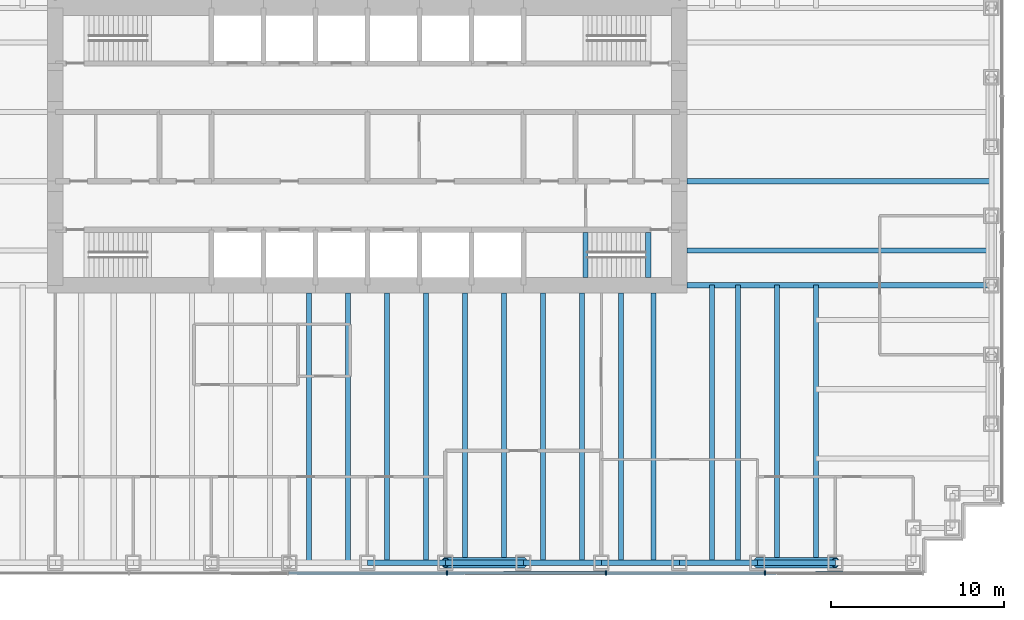
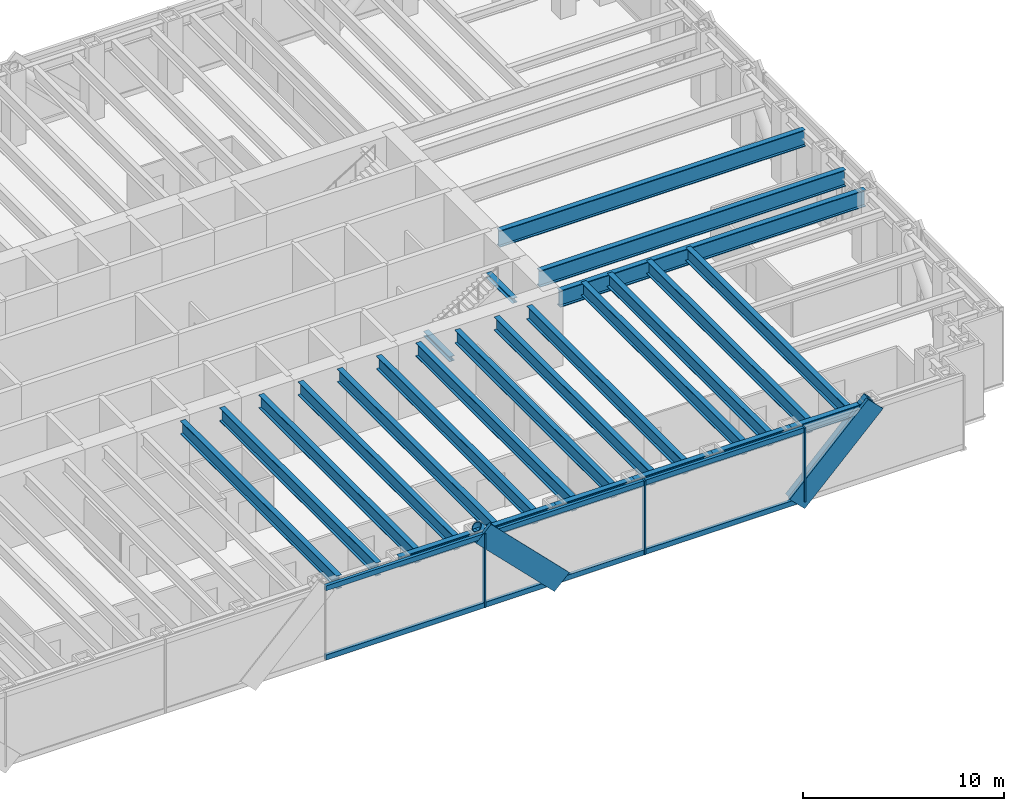
# One storey, part 3 of 13: 25 beams, 13 members, 1 element without a shape of its own.
"""IFC4 building model written with IfcOpenShell, lengths in metres."""

from ifc_helpers import new_model, si_unit, direction, frame, origin, origin_2d, place, context, subcontext, project, spatial, rectangle, hollow_circle, i_section, extrude, material, material_profile, profile_set, type_object, element, aggregate, save


model = new_model("IFC4")

# Units and contexts
model_context = context("Model", 3, precision=1e-05, world=origin(), true_north=direction((0.0, 1.0)))
body_context = subcontext(model_context, "Body", "Model", "MODEL_VIEW")
ifc_project = project(units=[si_unit("LENGTHUNIT", "METRE"), si_unit("AREAUNIT", "SQUARE_METRE"), si_unit("VOLUMEUNIT", "CUBIC_METRE"), si_unit("PLANEANGLEUNIT", "RADIAN"), si_unit("MASSUNIT", "GRAM", prefix="KILO")], contexts=[model_context])

# Site, building, storey
site_placement = place(None, origin())
site = spatial("IfcSite", under=ifc_project, at=site_placement, CompositionType="ELEMENT")
building_placement = place(site_placement, origin())
building = spatial("IfcBuilding", under=site, at=building_placement, Name="Rheinbord Bourse Tower", CompositionType="ELEMENT")
storey_placement = place(building_placement, frame((0.0, 0.0, 86.0)))
storey = spatial("IfcBuildingStorey", under=building, at=storey_placement, Name="L18", CompositionType="ELEMENT", Elevation=86.0)

# Curtain wall, members
ifc_material_1 = material(Name="Dark glass and black aluminium", Category="aluminium")
curtain_wall_type = type_object("IfcCurtainWallType", Name="CW1 DARK GLASS CURTAIN WALL", PredefinedType="USERDEFINED", material=ifc_material_1)
curtain_wall_placement = place(storey_placement, origin())
curtain_wall = element("IfcCurtainWall", 1, at=curtain_wall_placement, inside=storey, type_object=curtain_wall_type, Name="Curtain wall CW1 S L18", ObjectType="UNITISED CURTAIN WALL", PredefinedType="USERDEFINED")
ifc_material_2 = material(Name="Black anodised aluminium", Category="aluminium")
ifc_material_profile_1 = material_profile(ifc_material_2, rectangle(XDim=0.179931640625, YDim=1.2099609375, at=origin_2d()), Name="CW1 DIAGONAL MULLION 1210x180")
ifc_profile_set_1 = profile_set([ifc_material_profile_1], Name="Black anodised aluminium")
member_type_1 = type_object("IfcMemberType", Name="CW1 BLACK DIAGONAL MULLION", PredefinedType="USERDEFINED", material=ifc_profile_set_1)
member_1_placement = place(storey_placement, frame((45.0, -0.60009765625, 0.0), z_axis=(-0.707106781187, 0.0, 0.707106781187), x_axis=(0.0, -1.0, 0.0)))
member_1 = element("IfcMember", 2, at=member_1_placement, type_object=member_type_1, Name="CW1 diagonal mullion a", ObjectType="DIAGONAL MULLION", PredefinedType="USERDEFINED", context=body_context, shape_type="SweptSolid", body=[
    extrude(rectangle(XDim=0.179931640625, YDim=1.2099609375, at=origin_2d()), origin(), (0.0, 0.0, 1.0), 6.364013671875),
])
member_2_placement = place(storey_placement, frame((58.5, -0.60009765625, 0.0), z_axis=(0.707106781187, 0.0, 0.707106781187), x_axis=(0.0, 1.0, 0.0)))
member_2 = element("IfcMember", 3, at=member_2_placement, type_object=member_type_1, Name="CW1 diagonal mullion d", ObjectType="DIAGONAL MULLION", PredefinedType="USERDEFINED", context=body_context, shape_type="SweptSolid", body=[
    extrude(rectangle(XDim=0.179931640625, YDim=1.2099609375, at=origin_2d()), origin(), (0.0, 0.0, 1.0), 6.364013671875),
])
ifc_material_3 = material(Name="Black anodised aluminium", Category="aluminium")
ifc_material_profile_2 = material_profile(ifc_material_3, rectangle(XDim=0.25, YDim=0.080078125, at=origin_2d()), Name="CW1 MULLION 80x250")
ifc_profile_set_2 = profile_set([ifc_material_profile_2], Name="Black anodised aluminium")
member_type_2 = type_object("IfcMemberType", Name="CW1 BLACK MULLION", PredefinedType="MULLION", material=ifc_profile_set_2)
member_3_placement = place(storey_placement, frame((40.585693359375, -0.60009765625, 0.0), z_axis=(0.0, 0.0, 1.0), x_axis=(0.0, 1.0, 0.0)))
member_3 = element("IfcMember", 4, at=member_3_placement, type_object=member_type_2, Name="CW1 mullion 5", PredefinedType="MULLION", context=body_context, shape_type="SweptSolid", body=[
    extrude(rectangle(XDim=0.25, YDim=0.080078125, at=origin_2d()), origin(), (0.0, 0.0, 1.0), 4.5),
])
member_4_placement = place(storey_placement, frame((49.757080078125, -0.60009765625, 0.0), z_axis=(0.0, 0.0, 1.0), x_axis=(0.0, 1.0, 0.0)))
member_4 = element("IfcMember", 5, at=member_4_placement, type_object=member_type_2, Name="CW1 mullion 6", PredefinedType="MULLION", context=body_context, shape_type="SweptSolid", body=[
    extrude(rectangle(XDim=0.25, YDim=0.080078125, at=origin_2d()), origin(), (0.0, 0.0, 1.0), 4.5),
])
member_5_placement = place(storey_placement, frame((58.928466796875, -0.60009765625, 0.0), z_axis=(0.0, 0.0, 1.0), x_axis=(0.0, 1.0, 0.0)))
member_5 = element("IfcMember", 6, at=member_5_placement, type_object=member_type_2, Name="CW1 mullion 7", PredefinedType="MULLION", context=body_context, shape_type="SweptSolid", body=[
    extrude(rectangle(XDim=0.25, YDim=0.080078125, at=origin_2d()), origin(), (0.0, 0.0, 1.0), 4.5),
])
ifc_material_4 = material(Name="Black anodised aluminium", Category="aluminium")
ifc_material_profile_3 = material_profile(ifc_material_4, rectangle(XDim=0.179931640625, YDim=0.300048828125, at=origin_2d()), Name="CW1 TRANSOM 300x180")
ifc_profile_set_3 = profile_set([ifc_material_profile_3], Name="Black anodised aluminium")
member_type_3 = type_object("IfcMemberType", Name="CW1 BLACK TRANSOM", PredefinedType="USERDEFINED", material=ifc_profile_set_3)
member_6_placement = place(storey_placement, frame((31.454345703125, -0.60009765625, 0.14990234375), z_axis=(1.0, 0.0, 0.0), x_axis=(0.0, 1.0, 0.0)))
member_6 = element("IfcMember", 7, at=member_6_placement, type_object=member_type_3, Name="CW1 transom 4.1", ObjectType="TRANSOM", PredefinedType="USERDEFINED", context=body_context, shape_type="SweptSolid", body=[
    extrude(rectangle(XDim=0.179931640625, YDim=0.300048828125, at=origin_2d()), origin(), (0.0, 0.0, 1.0), 9.09130859375),
])
member_7_placement = place(storey_placement, frame((31.454345703125, -0.60009765625, 4.35009765625), z_axis=(1.0, 0.0, 0.0), x_axis=(0.0, 1.0, 0.0)))
member_7 = element("IfcMember", 8, at=member_7_placement, type_object=member_type_3, Name="CW1 transom 4.2", ObjectType="TRANSOM", PredefinedType="USERDEFINED", context=body_context, shape_type="SweptSolid", body=[
    extrude(rectangle(XDim=0.179931640625, YDim=0.300048828125, at=origin_2d()), origin(), (0.0, 0.0, 1.0), 9.09130859375),
])
member_8_placement = place(storey_placement, frame((40.625732421875, -0.60009765625, 0.14990234375), z_axis=(1.0, 0.0, 0.0), x_axis=(0.0, 1.0, 0.0)))
member_8 = element("IfcMember", 9, at=member_8_placement, type_object=member_type_3, Name="CW1 transom 5.1", ObjectType="TRANSOM", PredefinedType="USERDEFINED", context=body_context, shape_type="SweptSolid", body=[
    extrude(rectangle(XDim=0.179931640625, YDim=0.300048828125, at=origin_2d()), origin(), (0.0, 0.0, 1.0), 9.09130859375),
])
member_9_placement = place(storey_placement, frame((40.625732421875, -0.60009765625, 4.35009765625), z_axis=(1.0, 0.0, 0.0), x_axis=(0.0, 1.0, 0.0)))
member_9 = element("IfcMember", 10, at=member_9_placement, type_object=member_type_3, Name="CW1 transom 5.2", ObjectType="TRANSOM", PredefinedType="USERDEFINED", context=body_context, shape_type="SweptSolid", body=[
    extrude(rectangle(XDim=0.179931640625, YDim=0.300048828125, at=origin_2d()), origin(), (0.0, 0.0, 1.0), 9.09130859375),
])
member_10_placement = place(storey_placement, frame((49.797119140625, -0.60009765625, 0.14990234375), z_axis=(1.0, 0.0, 0.0), x_axis=(0.0, 1.0, 0.0)))
member_10 = element("IfcMember", 11, at=member_10_placement, type_object=member_type_3, Name="CW1 transom 6.1", ObjectType="TRANSOM", PredefinedType="USERDEFINED", context=body_context, shape_type="SweptSolid", body=[
    extrude(rectangle(XDim=0.179931640625, YDim=0.300048828125, at=origin_2d()), origin(), (0.0, 0.0, 1.0), 9.091552734375),
])
member_11_placement = place(storey_placement, frame((49.797119140625, -0.60009765625, 4.35009765625), z_axis=(1.0, 0.0, 0.0), x_axis=(0.0, 1.0, 0.0)))
member_11 = element("IfcMember", 12, at=member_11_placement, type_object=member_type_3, Name="CW1 transom 6.2", ObjectType="TRANSOM", PredefinedType="USERDEFINED", context=body_context, shape_type="SweptSolid", body=[
    extrude(rectangle(XDim=0.179931640625, YDim=0.300048828125, at=origin_2d()), origin(), (0.0, 0.0, 1.0), 9.091552734375),
])
aggregate(curtain_wall, [member_3, member_4, member_5, member_6, member_7, member_8, member_9, member_10, member_11, member_1, member_2])

# Beams
ifc_material_5 = material(Name="Steel S460", Category="steel")
ifc_material_profile_4 = material_profile(ifc_material_5, i_section(OverallWidth=0.302001953125, OverallDepth=1.008056640625, WebThickness=0.02099609375, FlangeThickness=0.0400390625, at=origin_2d()), Name="HEM 1000")
ifc_profile_set_4 = profile_set([ifc_material_profile_4], Name="Steel S460")
beam_type_1 = type_object("IfcBeamType", Name="END BEAM HEM 1000", PredefinedType="BEAM", material=ifc_profile_set_4)
for number, where, z_axis, x_axis, name in (
    (13, (54.449951171875, 18.0, 3.81591796875), (1.0, 0.0, 0.0), (0.0, 1.0, 0.0), "End beam east 18 L19"),
    (14, (54.449951171875, 22.0, 3.81591796875), (1.0, 0.0, 0.0), (0.0, 1.0, 0.0), "End beam east 22 L19"),
):
    element("IfcBeam", number, at=place(storey_placement, frame(where, z_axis=z_axis, x_axis=x_axis)), inside=storey, type_object=beam_type_1, Name=name, PredefinedType="BEAM", context=body_context, shape_type="SweptSolid", body=[
        extrude(i_section(OverallWidth=0.302001953125, OverallDepth=1.008056640625, WebThickness=0.02099609375, FlangeThickness=0.0400390625, at=origin_2d()), origin(), (0.0, 0.0, 1.0), 17.550048828125),
    ])
ifc_material_6 = material(Name="Steel S460", Category="steel")
ifc_material_profile_5 = material_profile(ifc_material_6, i_section(OverallWidth=0.300048828125, OverallDepth=0.800048828125, WebThickness=0.017578125, FlangeThickness=0.032958984375, at=origin_2d()), Name="HEB 800")
ifc_profile_set_5 = profile_set([ifc_material_profile_5], Name="Steel S460")
beam_type_2 = type_object("IfcBeamType", Name="FLOOR BEAM HEB 800", PredefinedType="BEAM", material=ifc_profile_set_5)
for number, where, z_axis, x_axis, name in (
    (15, (32.625, 0.0, 3.919921875), (0.0, 1.0, 0.0), (-1.0, 0.0, 0.0), "Floor beam S-31.5a L19"),
    (16, (34.875, 0.0, 3.919921875), (0.0, 1.0, 0.0), (-1.0, 0.0, 0.0), "Floor beam S-31.5b L19"),
    (17, (37.125, 0.0, 3.919921875), (0.0, 1.0, 0.0), (-1.0, 0.0, 0.0), "Floor beam S-36a L19"),
    (18, (39.375, 0.0, 3.919921875), (0.0, 1.0, 0.0), (-1.0, 0.0, 0.0), "Floor beam S-36b L19"),
    (19, (41.625, 0.0, 3.919921875), (0.0, 1.0, 0.0), (-1.0, 0.0, 0.0), "Floor beam S-40.5a L19"),
    (20, (43.875, 0.0, 3.919921875), (0.0, 1.0, 0.0), (-1.0, 0.0, 0.0), "Floor beam S-40.5b L19"),
    (21, (46.125, 0.0, 3.919921875), (0.0, 1.0, 0.0), (-1.0, 0.0, 0.0), "Floor beam S-45a L19"),
    (22, (48.375, 0.0, 3.919921875), (0.0, 1.0, 0.0), (-1.0, 0.0, 0.0), "Floor beam S-45b L19"),
    (23, (50.625, 0.0, 3.919921875), (0.0, 1.0, 0.0), (-1.0, 0.0, 0.0), "Floor beam S-49.5a L19"),
    (24, (52.5, 0.0, 3.919921875), (0.0, 1.0, 0.0), (-1.0, 0.0, 0.0), "Floor beam S-49.5b L19"),
):
    element("IfcBeam", number, at=place(storey_placement, frame(where, z_axis=z_axis, x_axis=x_axis)), inside=storey, type_object=beam_type_2, Name=name, PredefinedType="BEAM", context=body_context, shape_type="SweptSolid", body=[
        extrude(i_section(OverallWidth=0.300048828125, OverallDepth=0.800048828125, WebThickness=0.017578125, FlangeThickness=0.032958984375, at=origin_2d()), origin(), (0.0, 0.0, 1.0), 15.550048828125),
    ])
for number, where, z_axis, x_axis, name in (
    (25, (55.875, 0.0, 3.919921875), (0.0, 1.0, 0.0), (-1.0, 0.0, 0.0), "Floor beam S-54a L19"),
    (26, (57.375, 0.0, 3.919921875), (0.0, 1.0, 0.0), (-1.0, 0.0, 0.0), "Floor beam S-54b L19"),
    (27, (59.625, 0.0, 3.919921875), (0.0, 1.0, 0.0), (-1.0, 0.0, 0.0), "Floor beam S-58.5a L19"),
    (28, (61.875, 0.0, 3.919921875), (0.0, 1.0, 0.0), (-1.0, 0.0, 0.0), "Floor beam S-58.5b L19"),
):
    element("IfcBeam", number, at=place(storey_placement, frame(where, z_axis=z_axis, x_axis=x_axis)), inside=storey, type_object=beam_type_2, Name=name, PredefinedType="BEAM", context=body_context, shape_type="SweptSolid", body=[
        extrude(i_section(OverallWidth=0.300048828125, OverallDepth=0.800048828125, WebThickness=0.017578125, FlangeThickness=0.032958984375, at=origin_2d()), origin(), (0.0, 0.0, 1.0), 16.0),
    ])
ifc_material_7 = material(Name="Steel S460", Category="steel")
ifc_material_profile_6 = material_profile(ifc_material_7, i_section(OverallWidth=0.302001953125, OverallDepth=1.008056640625, WebThickness=0.02099609375, FlangeThickness=0.0400390625, at=origin_2d()), Name="HEM 1000")
ifc_profile_set_6 = profile_set([ifc_material_profile_6], Name="Steel S460")
beam_type_3 = type_object("IfcBeamType", Name="GIRDER HEM 1000", PredefinedType="BEAM", material=ifc_profile_set_6)
beam_placement = place(storey_placement, frame((54.449951171875, 16.0, 3.81591796875), z_axis=(1.0, 0.0, 0.0), x_axis=(0.0, 1.0, 0.0)))
element("IfcBeam", 29, at=beam_placement, inside=storey, type_object=beam_type_3, Name="Girder east 16 L19", PredefinedType="BEAM", context=body_context, shape_type="SweptSolid", body=[
    extrude(i_section(OverallWidth=0.302001953125, OverallDepth=1.008056640625, WebThickness=0.02099609375, FlangeThickness=0.0400390625, at=origin_2d()), origin(), (0.0, 0.0, 1.0), 17.550048828125),
])
ifc_material_8 = material(Name="Steel S460", Category="steel")
ifc_material_profile_7 = material_profile(ifc_material_8, i_section(OverallWidth=0.300048828125, OverallDepth=0.300048828125, WebThickness=0.010986328125, FlangeThickness=0.01904296875, at=origin_2d()), Name="HEB 300")
ifc_profile_set_7 = profile_set([ifc_material_profile_7], Name="Steel S460")
beam_type_4 = type_object("IfcBeamType", Name="LANDING TRIMMER HEB 300", PredefinedType="BEAM", material=ifc_profile_set_7)
for number, where, z_axis, x_axis, name in (
    (30, (48.590087890625, 16.449951171875, 1.89990234375), (0.0, 1.0, 0.0), (-1.0, 0.0, 0.0), "Landing trimmer ST3 L18"),
    (31, (52.199951171875, 16.449951171875, 4.169921875), (0.0, 1.0, 0.0), (-1.0, 0.0, 0.0), "Well trimmer ST3 under L19"),
):
    element("IfcBeam", number, at=place(storey_placement, frame(where, z_axis=z_axis, x_axis=x_axis)), inside=storey, type_object=beam_type_4, Name=name, PredefinedType="BEAM", context=body_context, shape_type="SweptSolid", body=[
        extrude(i_section(OverallWidth=0.300048828125, OverallDepth=0.300048828125, WebThickness=0.010986328125, FlangeThickness=0.01904296875, at=origin_2d()), origin(), (0.0, 0.0, 1.0), 2.60009765625),
    ])

# Members
ifc_material_9 = material(Name="Steel S460", Category="steel")
ifc_material_profile_8 = material_profile(ifc_material_9, hollow_circle(Radius=0.304931640625, WallThickness=0.050048828125, at=origin_2d()), Name="CHS 610x50")
ifc_profile_set_8 = profile_set([ifc_material_profile_8], Name="Steel S460")
member_type_4 = type_object("IfcMemberType", Name="MEGABRACE CHS 610x50", PredefinedType="BRACE", material=ifc_profile_set_8)
for number, where, z_axis, x_axis, name in (
    (32, (45.0, 0.0, 0.0), (-0.707106781187, 0.0, 0.707106781187), (0.0, -1.0, 0.0), "Megabrace S face line a L18"),
    (33, (58.5, 0.0, 0.0), (0.707106781187, 0.0, 0.707106781187), (0.0, 1.0, 0.0), "Megabrace S face line d L18"),
):
    element("IfcMember", number, at=place(storey_placement, frame(where, z_axis=z_axis, x_axis=x_axis)), inside=storey, type_object=member_type_4, Name=name, PredefinedType="BRACE", context=body_context, shape_type="SweptSolid", body=[
        extrude(hollow_circle(Radius=0.304931640625, WallThickness=0.050048828125, at=origin_2d()), origin(), (0.0, 0.0, 1.0), 6.364013671875),
    ])

# Beams
ifc_material_10 = material(Name="Steel S460", Category="steel")
ifc_material_profile_9 = material_profile(ifc_material_10, i_section(OverallWidth=0.304931640625, OverallDepth=0.6201171875, WebThickness=0.02099609375, FlangeThickness=0.0400390625, at=origin_2d()), Name="HEM 600")
ifc_profile_set_9 = profile_set([ifc_material_profile_9], Name="Steel S460")
beam_type_5 = type_object("IfcBeamType", Name="SPANDREL HEM 600", PredefinedType="SPANDREL", material=ifc_profile_set_9)
for number, where, z_axis, x_axis, name in (
    (34, (36.0, 0.0, 4.010009765625), (1.0, 0.0, 0.0), (0.0, 1.0, 0.0), "Spandrel S-36-S-40.5 under L19"),
    (35, (40.5, 0.0, 4.010009765625), (1.0, 0.0, 0.0), (0.0, 1.0, 0.0), "Spandrel S-40.5-S-45 under L19"),
    (36, (45.0, 0.0, 4.010009765625), (1.0, 0.0, 0.0), (0.0, 1.0, 0.0), "Spandrel S-45-S-49.5 under L19"),
    (37, (49.5, 0.0, 4.010009765625), (1.0, 0.0, 0.0), (0.0, 1.0, 0.0), "Spandrel S-49.5-S-54 under L19"),
    (38, (54.0, 0.0, 4.010009765625), (1.0, 0.0, 0.0), (0.0, 1.0, 0.0), "Spandrel S-54-S-58.5 under L19"),
    (39, (58.5, 0.0, 4.010009765625), (1.0, 0.0, 0.0), (0.0, 1.0, 0.0), "Spandrel S-58.5-S-63 under L19"),
):
    element("IfcBeam", number, at=place(storey_placement, frame(where, z_axis=z_axis, x_axis=x_axis)), inside=storey, type_object=beam_type_5, Name=name, PredefinedType="SPANDREL", context=body_context, shape_type="SweptSolid", body=[
        extrude(i_section(OverallWidth=0.304931640625, OverallDepth=0.6201171875, WebThickness=0.02099609375, FlangeThickness=0.0400390625, at=origin_2d()), origin(), (0.0, 0.0, 1.0), 4.5),
    ])

save(model, "model.ifc")
